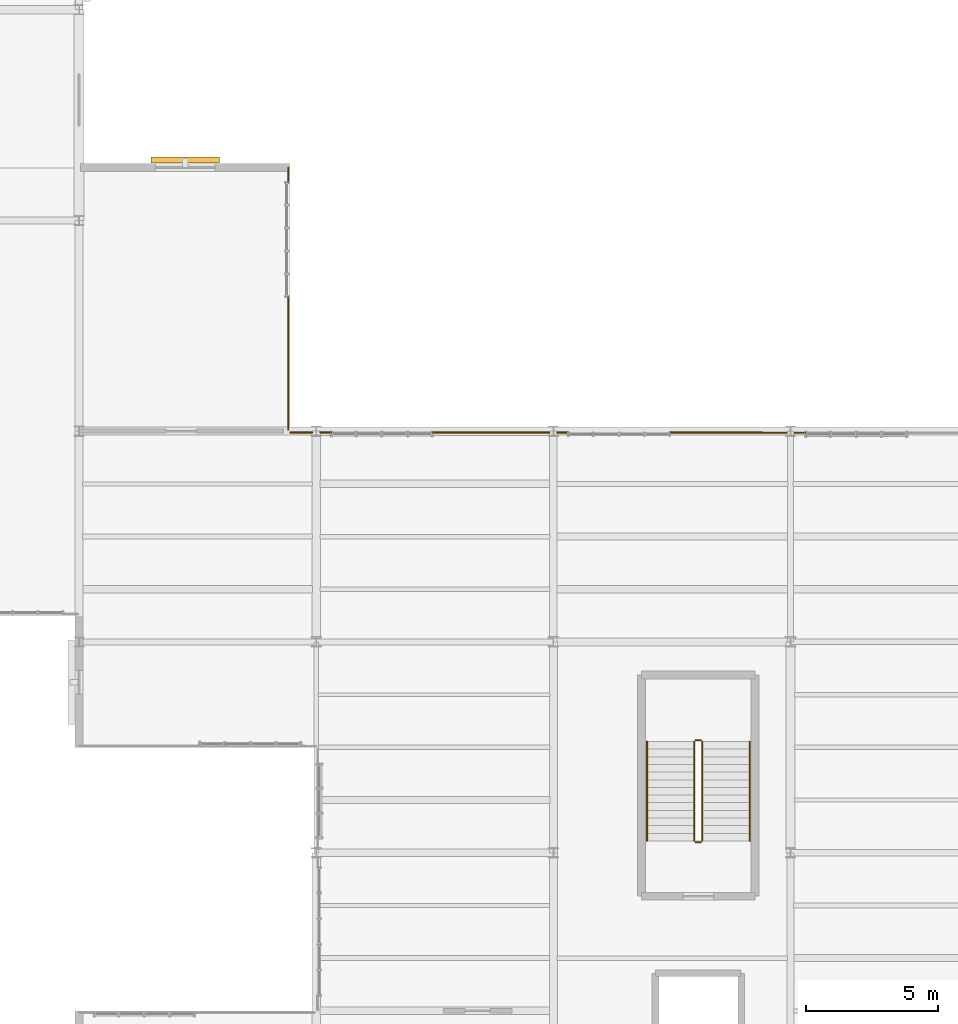
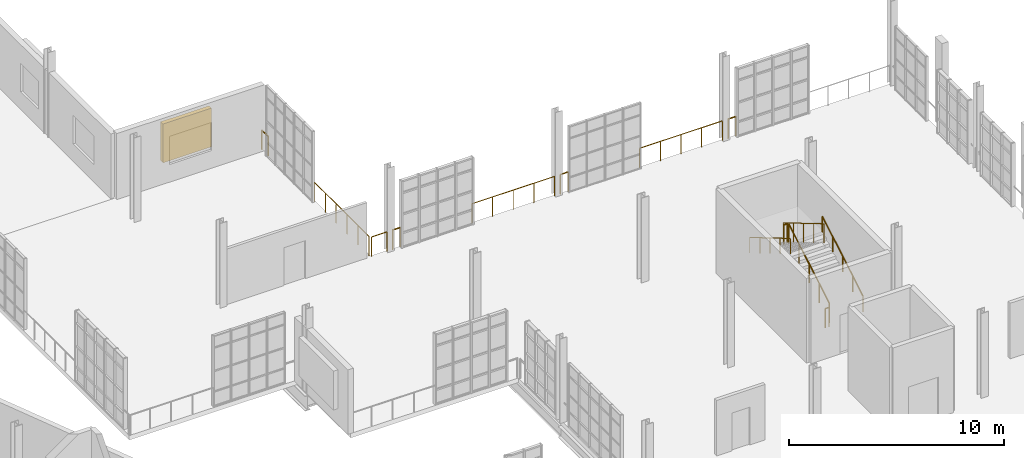
# One storey, part 117 of 122: 14 railings, 1 shading device.
"""IFC4 building model written with IfcOpenShell, lengths in metres."""

from ifc_helpers import new_model, si_unit, direction, frame, frame_2d, origin, origin_2d, place, context, subcontext, project, spatial, rectangle, circle, extrude, material, type_object, element, save


model = new_model("IFC4")

# Units and contexts
model_context = context("Model", 3, precision=1e-05, world=origin(), true_north=direction((0.0, 1.0)))
body_context = subcontext(model_context, "Body", "Model", "MODEL_VIEW")
ifc_project = project(units=[si_unit("LENGTHUNIT", "METRE"), si_unit("AREAUNIT", "SQUARE_METRE"), si_unit("VOLUMEUNIT", "CUBIC_METRE"), si_unit("PLANEANGLEUNIT", "RADIAN"), si_unit("MASSUNIT", "GRAM", prefix="KILO"), si_unit("THERMODYNAMICTEMPERATUREUNIT", "KELVIN"), si_unit("POWERUNIT", "WATT")], contexts=[model_context])

# Site, building, storey
site_placement = place(None, origin())
site = spatial("IfcSite", under=ifc_project, at=site_placement, CompositionType="ELEMENT")
building_placement = place(site_placement, origin())
building = spatial("IfcBuilding", under=site, at=building_placement, Name="Zelmaris Science Centre", CompositionType="ELEMENT")
storey_placement = place(building_placement, frame((0.0, 0.0, 10.800048828125)))
storey = spatial("IfcBuildingStorey", under=building, at=storey_placement, Name="L02", CompositionType="ELEMENT", Elevation=10.800048828125)

# Railings
ifc_material = material(Name="Architectural bronze alloy C28000")
railing_type_1 = type_object("IfcRailingType", Name="Balustrade GD-01 H1120", PredefinedType="BALUSTRADE", material=ifc_material)
railing_1_placement = place(storey_placement, frame((115.93994140625, 66.0, 0.0)))
element("IfcRailing", 1, at=railing_1_placement, inside=storey, type_object=railing_type_1, Name="L02 Perimeter safety balustrade 118", PredefinedType="BALUSTRADE", context=body_context, shape_type="SweptSolid", body=[
    extrude(circle(Radius=0.02392578125, at=origin_2d()), frame((0.0, 0.0, 1.09619140625), z_axis=(0.0, -1.0, 0.0), x_axis=(1.0, 0.0, 0.0)), (0.0, 0.0, 1.0), 0.570068359375),
    extrude(circle(Radius=0.02099609375, at=origin_2d()), origin(), (0.0, 0.0, 1.0), 1.072021484375),
    extrude(circle(Radius=0.02099609375, at=origin_2d()), frame((0.0, -0.570068359375, 0.0)), (0.0, 0.0, 1.0), 1.072021484375),
])
railing_2_placement = place(storey_placement, frame((115.93994140625, 61.1201171875, 0.0)))
element("IfcRailing", 2, at=railing_2_placement, inside=storey, type_object=railing_type_1, Name="L02 Perimeter safety balustrade 119", PredefinedType="BALUSTRADE", context=body_context, shape_type="SweptSolid", body=[
    extrude(circle(Radius=0.02392578125, at=origin_2d()), frame((0.0, 0.0, 1.09619140625), z_axis=(0.0, -1.0, 0.0), x_axis=(1.0, 0.0, 0.0)), (0.0, 0.0, 1.0), 5.06005859375),
    extrude(circle(Radius=0.02099609375, at=origin_2d()), origin(), (0.0, 0.0, 1.0), 1.072021484375),
    extrude(circle(Radius=0.02099609375, at=origin_2d()), frame((0.0, -1.011962890625, 0.0)), (0.0, 0.0, 1.0), 1.072021484375),
    extrude(circle(Radius=0.02099609375, at=origin_2d()), frame((0.0, -2.02392578125, 0.0)), (0.0, 0.0, 1.0), 1.072021484375),
    extrude(circle(Radius=0.02099609375, at=origin_2d()), frame((0.0, -3.0361328125, 0.0)), (0.0, 0.0, 1.0), 1.072021484375),
    extrude(circle(Radius=0.02099609375, at=origin_2d()), frame((0.0, -4.048095703125, 0.0)), (0.0, 0.0, 1.0), 1.072021484375),
    extrude(circle(Radius=0.02099609375, at=origin_2d()), frame((0.0, -5.06005859375, 0.0)), (0.0, 0.0, 1.0), 1.072021484375),
])
railing_3_placement = place(storey_placement, frame((116.02197265625, 55.95361328125, 0.0)))
element("IfcRailing", 3, at=railing_3_placement, inside=storey, type_object=railing_type_1, Name="L02 Perimeter safety balustrade 120", PredefinedType="BALUSTRADE", context=body_context, shape_type="SweptSolid", body=[
    extrude(circle(Radius=0.02392578125, at=origin_2d()), frame((0.0, 0.0, 1.09619140625), z_axis=(0.999999824417, -0.000592592489, 0.0), x_axis=(0.000592592489, 0.999999824417, 0.0)), (0.0, 0.0, 1.0), 0.823974609375),
    extrude(circle(Radius=0.02099609375, at=origin_2d()), origin(), (0.0, 0.0, 1.0), 1.072021484375),
    extrude(circle(Radius=0.02099609375, at=origin_2d()), frame((0.823974609375, -0.00048828125, 0.0)), (0.0, 0.0, 1.0), 1.072021484375),
])
railing_4_placement = place(storey_placement, frame((117.154052734375, 55.953125, 0.0)))
element("IfcRailing", 4, at=railing_4_placement, inside=storey, type_object=railing_type_1, Name="L02 Perimeter safety balustrade 121", PredefinedType="BALUSTRADE", context=body_context, shape_type="SweptSolid", body=[
    extrude(circle(Radius=0.02392578125, at=origin_2d()), frame((0.0, 0.0, 1.09619140625), z_axis=(0.999999827599, -0.000587198959, 0.0), x_axis=(0.000587198959, 0.999999827599, 0.0)), (0.0, 0.0, 1.0), 0.415771484375),
    extrude(circle(Radius=0.02099609375, at=origin_2d()), origin(), (0.0, 0.0, 1.0), 1.072021484375),
    extrude(circle(Radius=0.02099609375, at=origin_2d()), frame((0.415771484375, -0.000244140625, 0.0)), (0.0, 0.0, 1.0), 1.072021484375),
])
railing_5_placement = place(storey_placement, frame((121.409912109375, 55.950927734375, 0.0)))
element("IfcRailing", 5, at=railing_5_placement, inside=storey, type_object=railing_type_1, Name="L02 Perimeter safety balustrade 122", PredefinedType="BALUSTRADE", context=body_context, shape_type="SweptSolid", body=[
    extrude(circle(Radius=0.02392578125, at=origin_2d()), frame((0.0, 0.0, 1.09619140625), z_axis=(0.999999877328, -0.000495321899, 0.0), x_axis=(0.000495321899, 0.999999877328, 0.0)), (0.0, 0.0, 1.0), 4.43603515625),
    extrude(circle(Radius=0.02099609375, at=origin_2d()), origin(), (0.0, 0.0, 1.0), 1.072021484375),
    extrude(circle(Radius=0.02099609375, at=origin_2d()), frame((1.10888671875, -0.00048828125, 0.0)), (0.0, 0.0, 1.0), 1.072021484375),
    extrude(circle(Radius=0.02099609375, at=origin_2d()), frame((2.218017578125, -0.0009765625, 0.0)), (0.0, 0.0, 1.0), 1.072021484375),
    extrude(circle(Radius=0.02099609375, at=origin_2d()), frame((3.3271484375, -0.001708984375, 0.0)), (0.0, 0.0, 1.0), 1.072021484375),
    extrude(circle(Radius=0.02099609375, at=origin_2d()), frame((4.43603515625, -0.002197265625, 0.0)), (0.0, 0.0, 1.0), 1.072021484375),
])
railing_6_placement = place(storey_placement, frame((126.154052734375, 55.94873046875, 0.0)))
element("IfcRailing", 6, at=railing_6_placement, inside=storey, type_object=railing_type_1, Name="L02 Perimeter safety balustrade 123", PredefinedType="BALUSTRADE", context=body_context, shape_type="SweptSolid", body=[
    extrude(circle(Radius=0.02392578125, at=origin_2d()), frame((0.0, 0.0, 1.09619140625), z_axis=(0.999999827599, -0.000587198959, 0.0), x_axis=(0.000587198959, 0.999999827599, 0.0)), (0.0, 0.0, 1.0), 0.415771484375),
    extrude(circle(Radius=0.02099609375, at=origin_2d()), origin(), (0.0, 0.0, 1.0), 1.072021484375),
    extrude(circle(Radius=0.02099609375, at=origin_2d()), frame((0.415771484375, -0.000244140625, 0.0)), (0.0, 0.0, 1.0), 1.072021484375),
])
railing_7_placement = place(storey_placement, frame((130.409912109375, 55.946533203125, 0.0)))
element("IfcRailing", 7, at=railing_7_placement, inside=storey, type_object=railing_type_1, Name="L02 Perimeter safety balustrade 124", PredefinedType="BALUSTRADE", context=body_context, shape_type="SweptSolid", body=[
    extrude(circle(Radius=0.02392578125, at=origin_2d()), frame((0.0, 0.0, 1.09619140625), z_axis=(0.999999877328, -0.000495321899, 0.0), x_axis=(0.000495321899, 0.999999877328, 0.0)), (0.0, 0.0, 1.0), 4.43603515625),
    extrude(circle(Radius=0.02099609375, at=origin_2d()), origin(), (0.0, 0.0, 1.0), 1.072021484375),
    extrude(circle(Radius=0.02099609375, at=origin_2d()), frame((1.10888671875, -0.00048828125, 0.0)), (0.0, 0.0, 1.0), 1.072021484375),
    extrude(circle(Radius=0.02099609375, at=origin_2d()), frame((2.218017578125, -0.0009765625, 0.0)), (0.0, 0.0, 1.0), 1.072021484375),
    extrude(circle(Radius=0.02099609375, at=origin_2d()), frame((3.3271484375, -0.001708984375, 0.0)), (0.0, 0.0, 1.0), 1.072021484375),
    extrude(circle(Radius=0.02099609375, at=origin_2d()), frame((4.43603515625, -0.002197265625, 0.0)), (0.0, 0.0, 1.0), 1.072021484375),
])
railing_8_placement = place(storey_placement, frame((135.154052734375, 55.9443359375, 0.0)))
element("IfcRailing", 8, at=railing_8_placement, inside=storey, type_object=railing_type_1, Name="L02 Perimeter safety balustrade 125", PredefinedType="BALUSTRADE", context=body_context, shape_type="SweptSolid", body=[
    extrude(circle(Radius=0.02392578125, at=origin_2d()), frame((0.0, 0.0, 1.09619140625), z_axis=(0.999999827599, -0.000587198959, 0.0), x_axis=(0.000587198959, 0.999999827599, 0.0)), (0.0, 0.0, 1.0), 0.415771484375),
    extrude(circle(Radius=0.02099609375, at=origin_2d()), origin(), (0.0, 0.0, 1.0), 1.072021484375),
    extrude(circle(Radius=0.02099609375, at=origin_2d()), frame((0.415771484375, -0.000244140625, 0.0)), (0.0, 0.0, 1.0), 1.072021484375),
])
railing_9_placement = place(storey_placement, frame((131.64990234375, 40.449951171875, 0.17138671875)))
element("IfcRailing", 9, at=railing_9_placement, inside=storey, type_object=railing_type_1, Name="L02 ST-5 stair guard 1", PredefinedType="BALUSTRADE", context=body_context, shape_type="SweptSolid", body=[
    extrude(circle(Radius=0.02392578125, at=origin_2d()), frame((0.0, 0.0, 1.076171875), z_axis=(0.0, 0.860848830602, 0.508860777473), x_axis=(-1.0, 0.0, 0.0)), (0.0, 0.0, 1.0), 4.37939453125),
    extrude(circle(Radius=0.02099609375, at=origin_2d()), origin(), (0.0, 0.0, 1.0), 1.052001953125),
    extrude(circle(Radius=0.02099609375, at=origin_2d()), frame((0.0, 0.9423828125, 0.55712890625)), (0.0, 0.0, 1.0), 1.052001953125),
    extrude(circle(Radius=0.02099609375, at=origin_2d()), frame((0.0, 1.885009765625, 1.1142578125)), (0.0, 0.0, 1.0), 1.052001953125),
    extrude(circle(Radius=0.02099609375, at=origin_2d()), frame((0.0, 2.82763671875, 1.67138671875)), (0.0, 0.0, 1.0), 1.052001953125),
    extrude(circle(Radius=0.02099609375, at=origin_2d()), frame((0.0, 3.77001953125, 2.228515625)), (0.0, 0.0, 1.0), 1.052001953125),
])
railing_10_placement = place(storey_placement, frame((131.60009765625, 44.27001953125, 2.39990234375)))
element("IfcRailing", 10, at=railing_10_placement, inside=storey, type_object=railing_type_1, Name="L02 ST-5 stair guard 2", PredefinedType="BALUSTRADE", context=body_context, shape_type="SweptSolid", body=[
    extrude(circle(Radius=0.02392578125, at=origin_2d()), frame((0.0, 0.0, 1.076171875), z_axis=(-1.0, 0.0, 0.0), x_axis=(0.0, -1.0, 0.0)), (0.0, 0.0, 1.0), 0.2001953125),
    extrude(circle(Radius=0.02099609375, at=origin_2d()), origin(), (0.0, 0.0, 1.0), 1.052001953125),
    extrude(circle(Radius=0.02099609375, at=origin_2d()), frame((-0.2001953125, 0.0, 0.0)), (0.0, 0.0, 1.0), 1.052001953125),
])
railing_11_placement = place(storey_placement, frame((131.35009765625, 44.219970703125, 2.5712890625)))
element("IfcRailing", 11, at=railing_11_placement, inside=storey, type_object=railing_type_1, Name="L02 ST-5 stair guard 3", PredefinedType="BALUSTRADE", context=body_context, shape_type="SweptSolid", body=[
    extrude(circle(Radius=0.02392578125, at=origin_2d()), frame((0.0, 0.0, 1.076171875), z_axis=(0.0, -0.860824410104, 0.508902087802), x_axis=(1.0, 0.0, 0.0)), (0.0, 0.0, 1.0), 4.379638671875),
    extrude(circle(Radius=0.02099609375, at=origin_2d()), origin(), (0.0, 0.0, 1.0), 1.052001953125),
    extrude(circle(Radius=0.02099609375, at=origin_2d()), frame((0.0, -0.9423828125, 0.55712890625)), (0.0, 0.0, 1.0), 1.052001953125),
    extrude(circle(Radius=0.02099609375, at=origin_2d()), frame((0.0, -1.885009765625, 1.1142578125)), (0.0, 0.0, 1.0), 1.052001953125),
    extrude(circle(Radius=0.02099609375, at=origin_2d()), frame((0.0, -2.82763671875, 1.671630859375)), (0.0, 0.0, 1.0), 1.052001953125),
    extrude(circle(Radius=0.02099609375, at=origin_2d()), frame((0.0, -3.77001953125, 2.228759765625)), (0.0, 0.0, 1.0), 1.052001953125),
])
railing_12_placement = place(storey_placement, frame((131.60009765625, 40.39990234375, 0.0)))
element("IfcRailing", 12, at=railing_12_placement, inside=storey, type_object=railing_type_1, Name="L02 ST-5 stair guard 4", PredefinedType="BALUSTRADE", context=body_context, shape_type="SweptSolid", body=[
    extrude(circle(Radius=0.02392578125, at=origin_2d()), frame((0.0, 0.0, 1.076171875), z_axis=(-1.0, 0.0, 0.0), x_axis=(0.0, -1.0, 0.0)), (0.0, 0.0, 1.0), 0.2001953125),
    extrude(circle(Radius=0.02099609375, at=origin_2d()), origin(), (0.0, 0.0, 1.0), 1.052001953125),
    extrude(circle(Radius=0.02099609375, at=origin_2d()), frame((-0.2001953125, 0.0, 0.0)), (0.0, 0.0, 1.0), 1.052001953125),
])

# Shading device
shading_device_type = type_object("IfcShadingDeviceType", Name="Bronze Storm Louvre LV-01 2600x2200", PredefinedType="JALOUSIE", material=ifc_material)
shading_device_placement = place(storey_placement, frame((110.72998046875, 66.2900390625, 0.949951171875), z_axis=(0.0, 0.0, 1.0), x_axis=(1.0, 0.0, 0.0)))
element("IfcShadingDevice", 13, at=shading_device_placement, inside=storey, type_object=shading_device_type, Name="L02 Bronze storm louvre 22", PredefinedType="JALOUSIE", context=body_context, shape_type="SweptSolid", body=[
    extrude(rectangle(XDim=2.60009765625, YDim=0.219970703125, at=frame_2d((1.300048828125, 0.0))), origin(), (0.0, 0.0, 1.0), 2.199951171875),
])

# Railings
railing_type_2 = type_object("IfcRailingType", Name="Handrail HR-01 H900", PredefinedType="HANDRAIL", material=ifc_material)
railing_13_placement = place(storey_placement, frame((133.449951171875, 40.449951171875, 0.17138671875)))
element("IfcRailing", 14, at=railing_13_placement, inside=storey, type_object=railing_type_2, Name="L02 ST-5 stair handrail 1", PredefinedType="HANDRAIL", context=body_context, shape_type="SweptSolid", body=[
    extrude(circle(Radius=0.02392578125, at=origin_2d()), frame((0.0, 0.0, 0.8759765625), z_axis=(0.0, 0.860848830602, 0.508860777473), x_axis=(-1.0, 0.0, 0.0)), (0.0, 0.0, 1.0), 4.37939453125),
    extrude(circle(Radius=0.02099609375, at=origin_2d()), origin(), (0.0, 0.0, 1.0), 0.851806640625),
    extrude(circle(Radius=0.02099609375, at=origin_2d()), frame((0.0, 0.9423828125, 0.55712890625)), (0.0, 0.0, 1.0), 0.851806640625),
    extrude(circle(Radius=0.02099609375, at=origin_2d()), frame((0.0, 1.885009765625, 1.1142578125)), (0.0, 0.0, 1.0), 0.851806640625),
    extrude(circle(Radius=0.02099609375, at=origin_2d()), frame((0.0, 2.82763671875, 1.67138671875)), (0.0, 0.0, 1.0), 0.851806640625),
    extrude(circle(Radius=0.02099609375, at=origin_2d()), frame((0.0, 3.77001953125, 2.228515625)), (0.0, 0.0, 1.0), 0.851806640625),
])
railing_14_placement = place(storey_placement, frame((129.550048828125, 44.219970703125, 2.5712890625)))
element("IfcRailing", 15, at=railing_14_placement, inside=storey, type_object=railing_type_2, Name="L02 ST-5 stair handrail 2", PredefinedType="HANDRAIL", context=body_context, shape_type="SweptSolid", body=[
    extrude(circle(Radius=0.02392578125, at=origin_2d()), frame((0.0, 0.0, 0.8759765625), z_axis=(0.0, -0.860824410104, 0.508902087802), x_axis=(1.0, 0.0, 0.0)), (0.0, 0.0, 1.0), 4.379638671875),
    extrude(circle(Radius=0.02099609375, at=origin_2d()), origin(), (0.0, 0.0, 1.0), 0.851806640625),
    extrude(circle(Radius=0.02099609375, at=origin_2d()), frame((0.0, -0.9423828125, 0.55712890625)), (0.0, 0.0, 1.0), 0.851806640625),
    extrude(circle(Radius=0.02099609375, at=origin_2d()), frame((0.0, -1.885009765625, 1.1142578125)), (0.0, 0.0, 1.0), 0.851806640625),
    extrude(circle(Radius=0.02099609375, at=origin_2d()), frame((0.0, -2.82763671875, 1.671630859375)), (0.0, 0.0, 1.0), 0.851806640625),
    extrude(circle(Radius=0.02099609375, at=origin_2d()), frame((0.0, -3.77001953125, 2.228759765625)), (0.0, 0.0, 1.0), 0.851806640625),
])

save(model, "model.ifc")
